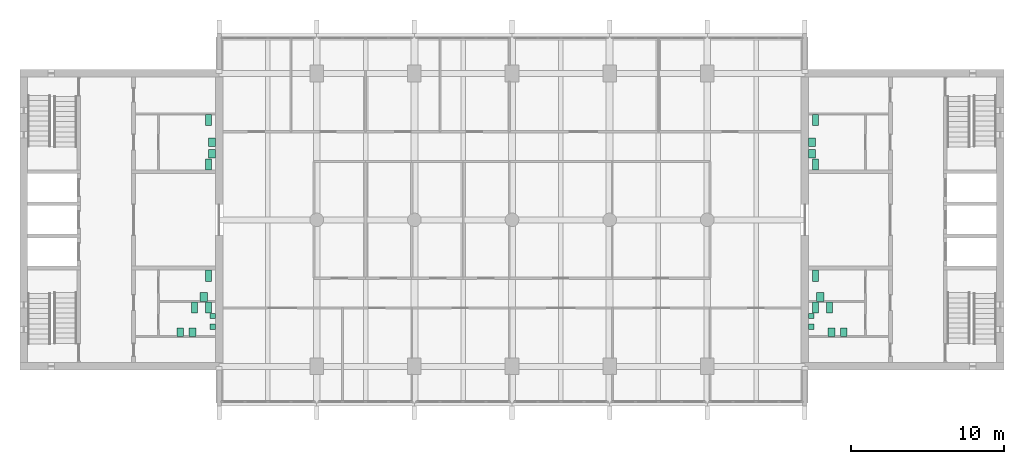
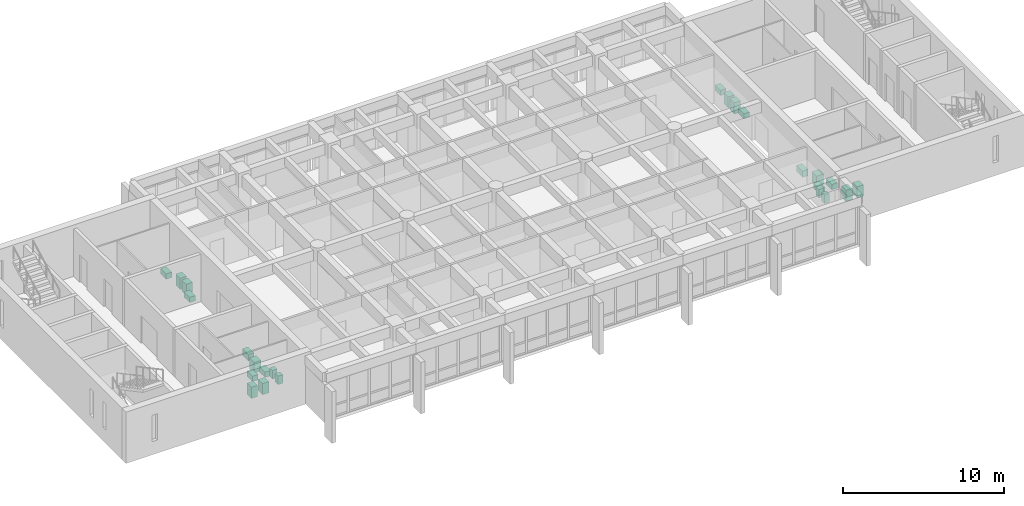
# One storey, part 15 of 15: 24 sanitary terminals.
"""IFC4 building model written with IfcOpenShell, lengths in metres."""

from ifc_helpers import new_model, si_unit, direction, frame, origin, origin_2d, place, context, subcontext, project, spatial, rectangle, extrude, material, type_object, element, save


model = new_model("IFC4")

# Units and contexts
model_context = context("Model", 3, precision=1e-05, world=origin(), true_north=direction((0.0, 1.0)))
body_context = subcontext(model_context, "Body", "Model", "MODEL_VIEW")
ifc_project = project(units=[si_unit("LENGTHUNIT", "METRE"), si_unit("AREAUNIT", "SQUARE_METRE"), si_unit("VOLUMEUNIT", "CUBIC_METRE"), si_unit("PLANEANGLEUNIT", "RADIAN"), si_unit("MASSUNIT", "GRAM", prefix="KILO")], contexts=[model_context])

# Site, building, storey
site_placement = place(None, origin())
site = spatial("IfcSite", under=ifc_project, at=site_placement, CompositionType="ELEMENT")
building_placement = place(site_placement, origin())
building = spatial("IfcBuilding", under=site, at=building_placement, Name="Fogon Plaza Fire Station and Headquarters Tower", CompositionType="ELEMENT")
storey_placement = place(building_placement, frame((0.0, 0.0, 48.300048828125)))
storey = spatial("IfcBuildingStorey", under=building, at=storey_placement, Name="L12", CompositionType="ELEMENT", Elevation=48.300048828125)

# Sanitary terminals
ifc_material_1 = material(Name="Vitreous china")
sanitary_terminal_type_1 = type_object("IfcSanitaryTerminalType", Name="Accessible Hand Basin 600x500", PredefinedType="WASHHANDBASIN", material=ifc_material_1)
for number, where, z_axis, x_axis, name in (
    (1, (24.60009765625, 38.14990234375, 0.0), (0.0, 0.0, 1.0), (1.0, 0.0, 0.0), "Accessible Hand Basin"),
    (2, (65.0, 38.14990234375, 0.0), (0.0, 0.0, 1.0), (1.0, 0.0, 0.0), "Accessible Hand Basin"),
):
    element("IfcSanitaryTerminal", number, at=place(storey_placement, frame(where, z_axis=z_axis, x_axis=x_axis)), inside=storey, type_object=sanitary_terminal_type_1, Name=name, PredefinedType="WASHHANDBASIN", context=body_context, shape_type="SweptSolid", body=[
        extrude(rectangle(XDim=0.5, YDim=0.60009765625, at=origin_2d()), origin(), (0.0, 0.0, 1.0), 0.800048828125),
    ])
ifc_material_2 = material(Name="Vitreous china")
sanitary_terminal_type_2 = type_object("IfcSanitaryTerminalType", Name="Accessible WC Pan 400x750", PredefinedType="TOILETPAN", material=ifc_material_2)
for number, where, z_axis, x_axis, name in (
    (3, (24.89990234375, 39.550048828125, 0.0), (0.0, 0.0, 1.0), (1.0, 0.0, 0.0), "Accessible WC Pan"),
    (4, (64.699951171875, 39.550048828125, 0.0), (0.0, 0.0, 1.0), (1.0, 0.0, 0.0), "Accessible WC Pan"),
):
    element("IfcSanitaryTerminal", number, at=place(storey_placement, frame(where, z_axis=z_axis, x_axis=x_axis)), inside=storey, type_object=sanitary_terminal_type_2, Name=name, PredefinedType="TOILETPAN", context=body_context, shape_type="SweptSolid", body=[
        extrude(rectangle(XDim=0.39990234375, YDim=0.75, at=origin_2d()), origin(), (0.0, 0.0, 1.0), 0.47998046875),
    ])
ifc_material_3 = material(Name="Vitreous china")
sanitary_terminal_type_3 = type_object("IfcSanitaryTerminalType", Name="Hand Basin 550x450", PredefinedType="WASHHANDBASIN", material=ifc_material_3)
for number, where, z_axis, x_axis, name in (
    (5, (23.85009765625, 35.824951171875, 0.0), (0.0, 0.0, 1.0), (1.0, 0.0, 0.0), "Hand Basin"),
    (6, (23.050048828125, 35.824951171875, 0.0), (0.0, 0.0, 1.0), (1.0, 0.0, 0.0), "Hand Basin"),
    (7, (25.125, 47.52490234375, 0.0), (0.0, 0.0, 1.0), (1.0, 0.0, 0.0), "Hand Basin"),
    (8, (25.125, 48.27490234375, 0.0), (0.0, 0.0, 1.0), (1.0, 0.0, 0.0), "Hand Basin"),
    (9, (65.75, 35.824951171875, 0.0), (0.0, 0.0, 1.0), (1.0, 0.0, 0.0), "Hand Basin"),
    (10, (66.550048828125, 35.824951171875, 0.0), (0.0, 0.0, 1.0), (1.0, 0.0, 0.0), "Hand Basin"),
    (11, (64.47509765625, 47.52490234375, 0.0), (0.0, 0.0, 1.0), (1.0, 0.0, 0.0), "Hand Basin"),
    (12, (64.47509765625, 48.27490234375, 0.0), (0.0, 0.0, 1.0), (1.0, 0.0, 0.0), "Hand Basin"),
):
    element("IfcSanitaryTerminal", number, at=place(storey_placement, frame(where, z_axis=z_axis, x_axis=x_axis)), inside=storey, type_object=sanitary_terminal_type_3, Name=name, PredefinedType="WASHHANDBASIN", context=body_context, shape_type="SweptSolid", body=[
        extrude(rectangle(XDim=0.449951171875, YDim=0.550048828125, at=origin_2d()), origin(), (0.0, 0.0, 1.0), 0.85009765625),
    ])
ifc_material_4 = material(Name="Vitreous china")
sanitary_terminal_type_4 = type_object("IfcSanitaryTerminalType", Name="Urinal 350x350", PredefinedType="URINAL", material=ifc_material_4)
for number, where, z_axis, x_axis, name in (
    (13, (25.175048828125, 36.199951171875, 0.0), (0.0, 0.0, 1.0), (1.0, 0.0, 0.0), "Urinal"),
    (14, (25.175048828125, 36.89990234375, 0.0), (0.0, 0.0, 1.0), (1.0, 0.0, 0.0), "Urinal"),
    (15, (64.425048828125, 36.199951171875, 0.0), (0.0, 0.0, 1.0), (1.0, 0.0, 0.0), "Urinal"),
    (16, (64.425048828125, 36.89990234375, 0.0), (0.0, 0.0, 1.0), (1.0, 0.0, 0.0), "Urinal"),
):
    element("IfcSanitaryTerminal", number, at=place(storey_placement, frame(where, z_axis=z_axis, x_axis=x_axis)), inside=storey, type_object=sanitary_terminal_type_4, Name=name, PredefinedType="URINAL", context=body_context, shape_type="SweptSolid", body=[
        extrude(rectangle(XDim=0.35009765625, YDim=0.35009765625, at=origin_2d()), origin(), (0.0, 0.0, 1.0), 0.64990234375),
    ])
ifc_material_5 = material(Name="Vitreous china")
sanitary_terminal_type_5 = type_object("IfcSanitaryTerminalType", Name="WC Pan 400x700", PredefinedType="TOILETPAN", material=ifc_material_5)
for number, where, z_axis, x_axis, name in (
    (17, (24.89990234375, 37.449951171875, 0.0), (0.0, 0.0, 1.0), (1.0, 0.0, 0.0), "WC Pan"),
    (18, (24.0, 37.449951171875, 0.0), (0.0, 0.0, 1.0), (1.0, 0.0, 0.0), "WC Pan"),
    (19, (24.89990234375, 49.75, 0.0), (0.0, 0.0, 1.0), (1.0, 0.0, 0.0), "WC Pan"),
    (20, (24.89990234375, 46.824951171875, 0.0), (0.0, 0.0, 1.0), (1.0, 0.0, 0.0), "WC Pan"),
    (21, (64.699951171875, 37.449951171875, 0.0), (0.0, 0.0, 1.0), (1.0, 0.0, 0.0), "WC Pan"),
    (22, (65.60009765625, 37.449951171875, 0.0), (0.0, 0.0, 1.0), (1.0, 0.0, 0.0), "WC Pan"),
    (23, (64.699951171875, 49.75, 0.0), (0.0, 0.0, 1.0), (1.0, 0.0, 0.0), "WC Pan"),
    (24, (64.699951171875, 46.824951171875, 0.0), (0.0, 0.0, 1.0), (1.0, 0.0, 0.0), "WC Pan"),
):
    element("IfcSanitaryTerminal", number, at=place(storey_placement, frame(where, z_axis=z_axis, x_axis=x_axis)), inside=storey, type_object=sanitary_terminal_type_5, Name=name, PredefinedType="TOILETPAN", context=body_context, shape_type="SweptSolid", body=[
        extrude(rectangle(XDim=0.39990234375, YDim=0.699951171875, at=origin_2d()), origin(), (0.0, 0.0, 1.0), 0.39990234375),
    ])

save(model, "model.ifc")
